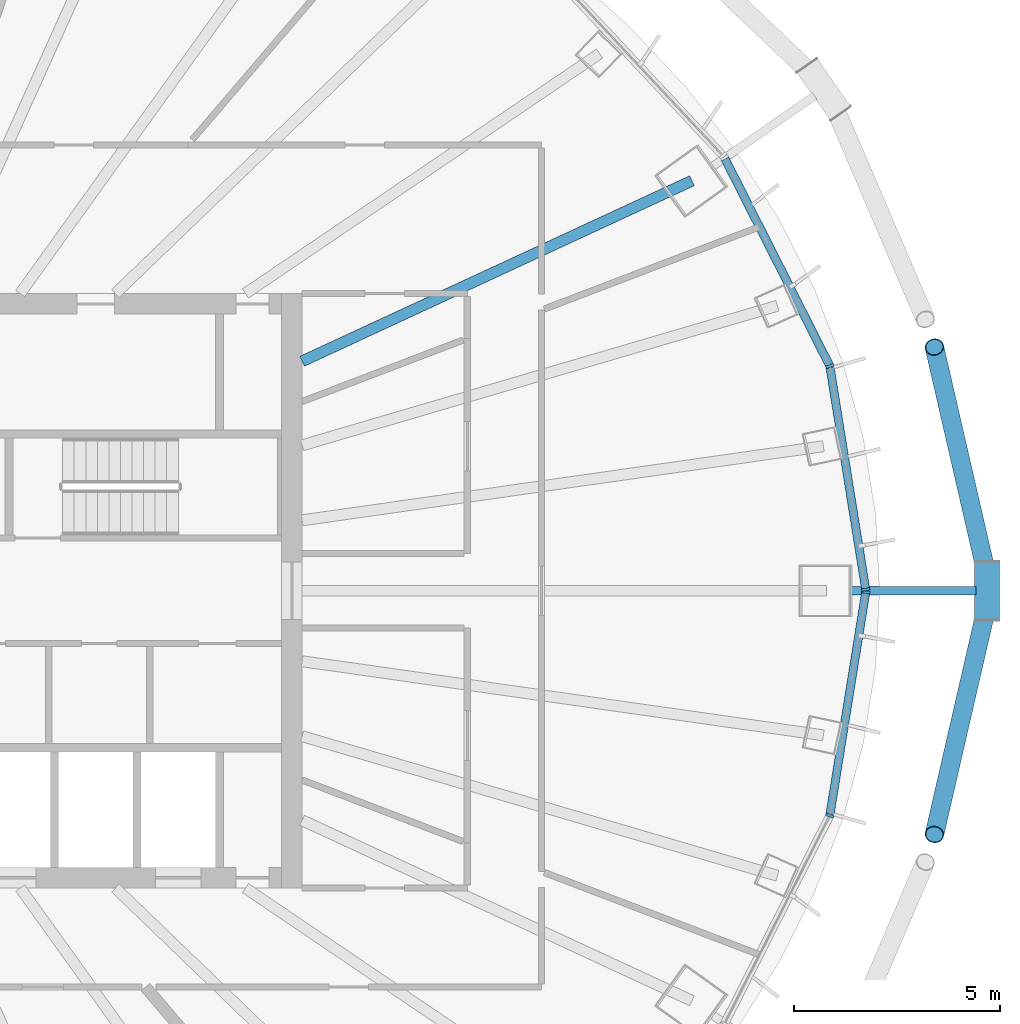
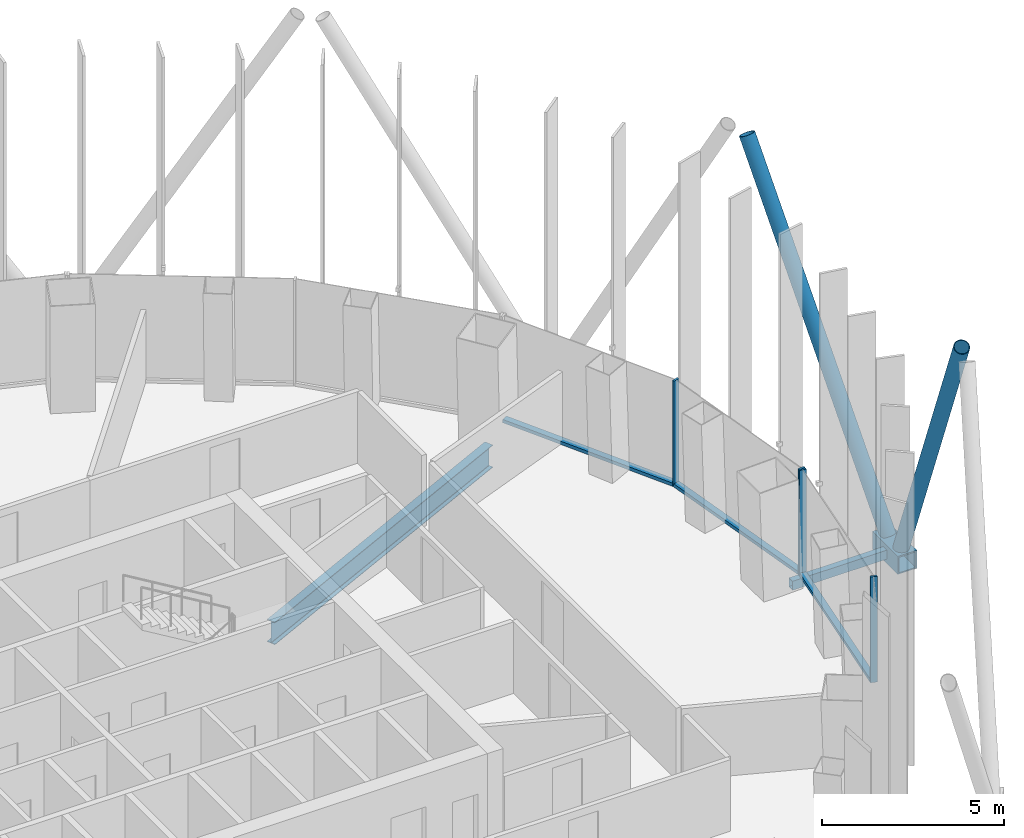
# One storey, part 5 of 20: 11 members, 1 beam, 2 elements without a shape of their own.
"""IFC4 building model written with IfcOpenShell, lengths in metres."""

import ifcopenshell
import ifcopenshell.guid

model = None  # the IFC model being written
_history = None  # IfcOwnerHistory: only IFC2X3 demands one
_inside = {}  # id of a spatial element -> (the spatial element, [elements in it])
_under = {}  # id of a project, library or spatial element -> (it, [spatial elements below it])
_declared = {}  # id of a project -> (the project, [libraries it declares])
_typed = {}  # id of a type object -> (the type object, [elements of that type])
_made_of = {}  # id of a material, layer set ... -> (it, [elements and type objects made of it])


def new_model(schema):
    """Start an empty IFC model of exactly this schema.

    Asked for "IFC4X3", IfcOpenShell would pick the latest addendum, in which some entities
    have other attributes; the version numbers below select the first issue.
    IFC2X3 requires an IfcOwnerHistory on every rooted entity: one is made here for all.
    """
    global model, _history
    if schema == "IFC4X3":
        model = ifcopenshell.file(schema_version=(4, 3, 0, 0))
    else:
        model = ifcopenshell.file(schema=schema)
    _inside.clear()
    _under.clear()
    _declared.clear()
    _typed.clear()
    _made_of.clear()
    _history = None
    if model.schema == "IFC2X3":
        org = make("IfcOrganization", Name="unknown")
        user = make(
            "IfcPersonAndOrganization",
            ThePerson=make("IfcPerson", FamilyName="unknown"),
            TheOrganization=org,
        )
        app = make(
            "IfcApplication",
            ApplicationDeveloper=org,
            Version="unknown",
            ApplicationFullName="unknown",
            ApplicationIdentifier="unknown",
        )
        _history = make(
            "IfcOwnerHistory",
            OwningUser=user,
            OwningApplication=app,
            ChangeAction="ADDED",
            CreationDate=0,
        )
    return model


def make(cls, **values):
    """One entity of the class cls with the attributes given. An attribute that is None is left unset."""
    return model.create_entity(
        cls, **{name: value for name, value in values.items() if value is not None}
    )


def rooted(cls, **values):
    """An entity with a GlobalId (a new one), such as an element, a storey or a relation."""
    return make(cls, GlobalId=ifcopenshell.guid.new(), OwnerHistory=_history, **values)


def si_unit(unit_type, name, prefix=None):
    """IfcSIUnit, for example si_unit("LENGTHUNIT", "METRE", prefix="MILLI")."""
    return make("IfcSIUnit", UnitType=unit_type, Prefix=prefix, Name=name)


def assignment(units):
    """IfcUnitAssignment: the units of a project."""
    return None if units is None else make("IfcUnitAssignment", Units=units)


def point(xyz):
    """IfcCartesianPoint."""
    return None if xyz is None else make("IfcCartesianPoint", Coordinates=xyz)


def direction(xyz):
    """IfcDirection."""
    return None if xyz is None else make("IfcDirection", DirectionRatios=xyz)


def frame(location, z_axis=None, x_axis=None):
    """IfcAxis2Placement3D, a coordinate frame: its origin and axes. An axis left out is left unset."""
    return make(
        "IfcAxis2Placement3D",
        Location=point(location),
        Axis=direction(z_axis),
        RefDirection=direction(x_axis),
    )


def frame_2d(location, x_axis=None):
    """IfcAxis2Placement2D, a coordinate frame in the plane: its origin and x axis."""
    return make(
        "IfcAxis2Placement2D", Location=point(location), RefDirection=direction(x_axis)
    )


def origin():
    """The frame at (0, 0, 0) with its axes left unset."""
    return frame((0.0, 0.0, 0.0))


def origin_2d():
    """The frame at (0, 0) in the plane with its x axis left unset."""
    return frame_2d((0.0, 0.0))


def place(relative_to, where):
    """IfcLocalPlacement: puts the frame where relative to a parent placement (None: the world)."""
    return make(
        "IfcLocalPlacement", PlacementRelTo=relative_to, RelativePlacement=where
    )


def context(
    kind, dimensions, precision=None, world=None, true_north=None, identifier=None
):
    """IfcGeometricRepresentationContext, for example the 3D "Model" context."""
    return make(
        "IfcGeometricRepresentationContext",
        ContextIdentifier=identifier,
        ContextType=kind,
        CoordinateSpaceDimension=dimensions,
        Precision=precision,
        WorldCoordinateSystem=world,
        TrueNorth=true_north,
    )


def subcontext(parent, identifier, kind, view, scale=None):
    """IfcGeometricRepresentationSubContext, for example "Body" below "Model"."""
    return make(
        "IfcGeometricRepresentationSubContext",
        ContextIdentifier=identifier,
        ContextType=kind,
        ParentContext=parent,
        TargetScale=scale,
        TargetView=view,
    )


def project(units=None, contexts=None):
    """IfcProject with its units and contexts."""
    return rooted(
        "IfcProject",
        Name="project",
        RepresentationContexts=contexts,
        UnitsInContext=assignment(units),
    )


def spatial(cls, under=None, at=None, **own):
    """A site, building, storey or space (cls), placed at a placement, below another one or the project."""
    s = rooted(cls, ObjectPlacement=at, **own)
    if under is not None:
        _under.setdefault(under.id(), (under, []))[1].append(s)
    return s


def profile(cls, at=None, kind="AREA", **sizes):
    """A parametric profile (cls). Its sizes go by their IFC names, for example OverallWidth=200.0."""
    return make(cls, ProfileType=kind, Position=at, **sizes)


def rectangle(**sizes):
    """IfcRectangleProfileDef."""
    return profile("IfcRectangleProfileDef", **sizes)


def hollow_rectangle(**sizes):
    """IfcRectangleHollowProfileDef."""
    return profile("IfcRectangleHollowProfileDef", **sizes)


def hollow_circle(**sizes):
    """IfcCircleHollowProfileDef."""
    return profile("IfcCircleHollowProfileDef", **sizes)


def i_section(**sizes):
    """IfcIShapeProfileDef."""
    return profile("IfcIShapeProfileDef", **sizes)


def extrude(swept, where, along, depth):
    """IfcExtrudedAreaSolid: the profile swept, set in the frame where, extruded along a direction by depth."""
    return make(
        "IfcExtrudedAreaSolid",
        SweptArea=swept,
        Position=where,
        ExtrudedDirection=direction(along),
        Depth=depth,
    )


def shape(context_of_items, identifier, shape_type, items):
    """IfcShapeRepresentation: the items that make up one representation, for example the "Body"."""
    return make(
        "IfcShapeRepresentation",
        ContextOfItems=context_of_items,
        RepresentationIdentifier=identifier,
        RepresentationType=shape_type,
        Items=items,
    )


def material(Name=None, Category=None):
    """IfcMaterial."""
    return make("IfcMaterial", Name=Name, Category=Category)


def layer(
    of_material, thickness, ventilated=None, Name=None, Category=None, Priority=None
):
    """IfcMaterialLayer: one layer of a wall or slab, of a material (None: an air gap)."""
    return make(
        "IfcMaterialLayer",
        Material=of_material,
        LayerThickness=thickness,
        IsVentilated=ventilated,
        Name=Name,
        Category=Category,
        Priority=Priority,
    )


def layer_set(layers, Name=None):
    """IfcMaterialLayerSet."""
    return make("IfcMaterialLayerSet", MaterialLayers=layers, LayerSetName=Name)


def material_profile(
    of_material, cross_section, Name=None, Category=None, Priority=None
):
    """IfcMaterialProfile: a cross section and its material."""
    return make(
        "IfcMaterialProfile",
        Name=Name,
        Material=of_material,
        Profile=cross_section,
        Priority=Priority,
        Category=Category,
    )


def profile_set(profiles, Name=None, composite=None):
    """IfcMaterialProfileSet."""
    return make(
        "IfcMaterialProfileSet",
        Name=Name,
        MaterialProfiles=profiles,
        CompositeProfile=composite,
    )


def made_of(thing, what):
    """Note that an element or type object is made of a material, layer set ...; save() writes the relation."""
    if what is not None:
        _made_of.setdefault(what.id(), (what, []))[1].append(thing)
    return thing


def type_object(cls, material=None, **own):
    """A type object (cls), such as IfcWallType, which elements share."""
    return made_of(rooted(cls, **own), material)


def element(
    cls,
    number,
    at=None,
    inside=None,
    cuts=None,
    type_object=None,
    material=None,
    context=None,
    identifier="Body",
    shape_type=None,
    held_by="IfcProductDefinitionShape",
    body=None,
    shapes=None,
    **own,
):
    """One element of the class cls, such as IfcWall. Its Tag is "e" and its number.

    at: its placement. inside: the storey or other place that contains it. cuts: it is an
    opening in that element (IfcRelVoidsElement). A single representation is given by context,
    identifier, shape_type and body (its items); several are given by shapes. held_by: the class
    of the entity that holds the representations. save() writes the other relations.
    """
    e = rooted(cls, Tag="e%d" % number, ObjectPlacement=at, **own)
    if body is not None:
        shapes = [shape(context, identifier, shape_type, body)]
    if shapes is not None:
        e.Representation = make(held_by, Representations=shapes)
    if inside is not None:
        _inside.setdefault(inside.id(), (inside, []))[1].append(e)
    if cuts is not None:
        rooted(
            "IfcRelVoidsElement", RelatingBuildingElement=cuts, RelatedOpeningElement=e
        )
    if type_object is not None:
        _typed.setdefault(type_object.id(), (type_object, []))[1].append(e)
    return made_of(e, material)


def aggregate(whole, parts):
    """IfcRelAggregates: a whole, such as a stair, and the parts it consists of."""
    return rooted("IfcRelAggregates", RelatingObject=whole, RelatedObjects=parts)


def save(model, path):
    """Write the relations noted so far, then the file.

    IfcRelAggregates (storeys below a building ...), IfcRelContainedInSpatialStructure (elements
    in a storey), IfcRelDefinesByType, IfcRelAssociatesMaterial and IfcRelDeclares: one each for
    every whole, place, type object, material and project.
    """
    for whole, parts in _under.values():
        aggregate(whole, parts)
    for where, things in _inside.values():
        rooted(
            "IfcRelContainedInSpatialStructure",
            RelatedElements=things,
            RelatingStructure=where,
        )
    for kind, things in _typed.values():
        rooted("IfcRelDefinesByType", RelatedObjects=things, RelatingType=kind)
    for what, things in _made_of.values():
        rooted("IfcRelAssociatesMaterial", RelatedObjects=things, RelatingMaterial=what)
    for by, libraries in _declared.values():
        rooted("IfcRelDeclares", RelatingContext=by, RelatedDefinitions=libraries)
    model.write(path)


model = new_model("IFC4")

# Units and contexts
model_context = context("Model", 3, precision=1e-05, world=origin(), true_north=direction((0.0, 1.0)))
body_context = subcontext(model_context, "Body", "Model", "MODEL_VIEW")
ifc_project = project(units=[si_unit("LENGTHUNIT", "METRE"), si_unit("AREAUNIT", "SQUARE_METRE"), si_unit("VOLUMEUNIT", "CUBIC_METRE"), si_unit("PLANEANGLEUNIT", "RADIAN"), si_unit("MASSUNIT", "GRAM", prefix="KILO")], contexts=[model_context])

# Site, building, storey
site_placement = place(None, origin())
site = spatial("IfcSite", under=ifc_project, at=site_placement, CompositionType="ELEMENT")
building_placement = place(site_placement, origin())
building = spatial("IfcBuilding", under=site, at=building_placement, Name="Siaravel Broadcast Tower", CompositionType="ELEMENT")
storey_placement = place(building_placement, frame((0.0, 0.0, 108.199951171875)))
storey = spatial("IfcBuildingStorey", under=building, at=storey_placement, Name="L25", CompositionType="ELEMENT", Elevation=108.199951171875)

# Beam
ifc_material_1 = material(Name="Steel S355", Category="steel")
ifc_material_profile_1 = material_profile(ifc_material_1, i_section(OverallWidth=0.26513671875, OverallDepth=0.75390625, WebThickness=0.0126953125, FlangeThickness=0.017578125, FilletRadius=0.0166015625, at=origin_2d()))
ifc_profile_set_1 = profile_set([ifc_material_profile_1], Name="Steel S355")
beam_type = type_object("IfcBeamType", Name="BM-UB 762x267x147", PredefinedType="BEAM", material=ifc_profile_set_1)
beam_placement = place(storey_placement, frame((21.442138671875, 9.931884765625, -0.52685546875), z_axis=(-0.907387216, -0.420295658, 0.0), x_axis=(0.420295658, -0.907387216, 0.0)))
element("IfcBeam", 1, at=beam_placement, inside=storey, type_object=beam_type, Name="Radial beam RB04", PredefinedType="BEAM", context=body_context, shape_type="SweptSolid", body=[
    extrude(i_section(OverallWidth=0.26513671875, OverallDepth=0.75390625, WebThickness=0.0126953125, FlangeThickness=0.017578125, FilletRadius=0.0166015625, at=origin_2d()), origin(), (0.0, 0.0, 1.0), 10.40576171875),
])

# Curtain wall, members
ifc_material_2 = material(Name="Aluminium 6063-T6", Category="aluminium")
ifc_layer = layer(ifc_material_2, 0.199951171875)
ifc_layer_set = layer_set([ifc_layer], Name="Aluminium 6063-T6")
curtain_wall_type = type_object("IfcCurtainWallType", Name="Unitised curtain wall, zone 2", PredefinedType="NOTDEFINED", material=ifc_layer_set)
curtain_wall_1_placement = place(storey_placement, origin())
curtain_wall_1 = element("IfcCurtainWall", 2, at=curtain_wall_1_placement, inside=storey, type_object=curtain_wall_type, Name="L25 Unitised curtain wall, zone 2 01", PredefinedType="NOTDEFINED")
ifc_material_profile_2 = material_profile(ifc_material_2, rectangle(XDim=0.199951171875, YDim=0.06494140625, at=origin_2d()))
ifc_profile_set_2 = profile_set([ifc_material_profile_2], Name="Aluminium 6063-T6")
member_type_1 = type_object("IfcMemberType", Name="CW-Z2 mullion", PredefinedType="MULLION", material=ifc_profile_set_2)
member_1_placement = place(storey_placement, frame((25.650146484375, 0.031982421875, 0.0), z_axis=(0.0, 0.0, 1.0), x_axis=(-0.987329151, -0.158685687, 0.0)))
member_1 = element("IfcMember", 3, at=member_1_placement, type_object=member_type_1, Name="CW-Z2 mullion 1", PredefinedType="MULLION", context=body_context, shape_type="SweptSolid", body=[
    extrude(rectangle(XDim=0.199951171875, YDim=0.06494140625, at=origin_2d()), origin(), (0.0, 0.0, 1.0), 3.550048828125),
])
member_2_placement = place(storey_placement, frame((24.7802734375, 5.44384765625, 0.0), z_axis=(0.0, 0.0, 1.0), x_axis=(-0.951177123, -0.308645559, 0.0)))
member_2 = element("IfcMember", 4, at=member_2_placement, type_object=member_type_1, Name="CW-Z2 mullion 2", PredefinedType="MULLION", context=body_context, shape_type="SweptSolid", body=[
    extrude(rectangle(XDim=0.199951171875, YDim=0.06494140625, at=origin_2d()), origin(), (0.0, 0.0, 1.0), 3.550048828125),
])

curtain_wall_2_placement = place(storey_placement, origin())
curtain_wall_2 = element("IfcCurtainWall", 5, at=curtain_wall_2_placement, inside=storey, type_object=curtain_wall_type, Name="L25 Unitised curtain wall, zone 2 12", PredefinedType="NOTDEFINED")
member_3_placement = place(storey_placement, frame((24.7802734375, -5.44384765625, 0.0), z_axis=(0.0, 0.0, 1.0), x_axis=(-0.951177123, 0.308645559, 0.0)))
member_3 = element("IfcMember", 6, at=member_3_placement, type_object=member_type_1, Name="CW-Z2 mullion 2", PredefinedType="MULLION", context=body_context, shape_type="SweptSolid", body=[
    extrude(rectangle(XDim=0.199951171875, YDim=0.06494140625, at=origin_2d()), origin(), (0.0, 0.0, 1.0), 3.550048828125),
])
member_4_placement = place(storey_placement, frame((25.650146484375, -0.031982421875, 0.0), z_axis=(0.0, 0.0, 1.0), x_axis=(-0.987329151, 0.158685687, 0.0)))
member_4 = element("IfcMember", 7, at=member_4_placement, type_object=member_type_1, Name="CW-Z2 mullion 3", PredefinedType="MULLION", context=body_context, shape_type="SweptSolid", body=[
    extrude(rectangle(XDim=0.199951171875, YDim=0.06494140625, at=origin_2d()), origin(), (0.0, 0.0, 1.0), 3.550048828125),
])

# Member
ifc_material_profile_3 = material_profile(ifc_material_2, rectangle(XDim=0.199951171875, YDim=0.110107421875, at=origin_2d()))
ifc_profile_set_3 = profile_set([ifc_material_profile_3], Name="Aluminium 6063-T6")
member_type_2 = type_object("IfcMemberType", Name="CW-Z2 transom", PredefinedType="USERDEFINED", material=ifc_profile_set_3)
member_5_placement = place(storey_placement, frame((25.64501953125, 0.064208984375, 0.054931640625), z_axis=(-0.158709481, 0.987325327, 0.0), x_axis=(-0.987325327, -0.158709481, 0.0)))
member_5 = element("IfcMember", 8, at=member_5_placement, type_object=member_type_2, Name="CW-Z2 transom 1", ObjectType="TRANSOM", PredefinedType="USERDEFINED", context=body_context, shape_type="SweptSolid", body=[
    extrude(rectangle(XDim=0.199951171875, YDim=0.110107421875, at=origin_2d()), origin(), (0.0, 0.0, 1.0), 5.416259765625),
])

member_6_placement = place(storey_placement, frame((24.765625, 5.472900390625, 0.054931640625), z_axis=(-0.451247712, 0.892398735, 0.0), x_axis=(-0.892398735, -0.451247712, 0.0)))
member_6 = element("IfcMember", 9, at=member_6_placement, type_object=member_type_2, Name="CW-Z2 transom 2", ObjectType="TRANSOM", PredefinedType="USERDEFINED", context=body_context, shape_type="SweptSolid", body=[
    extrude(rectangle(XDim=0.199951171875, YDim=0.110107421875, at=origin_2d()), origin(), (0.0, 0.0, 1.0), 5.585693359375),
])

aggregate(curtain_wall_1, [member_1, member_2, member_5, member_6])

member_7_placement = place(storey_placement, frame((24.785400390625, -5.411865234375, 0.054931640625), z_axis=(0.158709481, 0.987325327, 0.0), x_axis=(-0.987325327, 0.158709481, 0.0)))
member_7 = element("IfcMember", 10, at=member_7_placement, type_object=member_type_2, Name="CW-Z2 transom 2", ObjectType="TRANSOM", PredefinedType="USERDEFINED", context=body_context, shape_type="SweptSolid", body=[
    extrude(rectangle(XDim=0.199951171875, YDim=0.110107421875, at=origin_2d()), origin(), (0.0, 0.0, 1.0), 5.416259765625),
])

aggregate(curtain_wall_2, [member_3, member_4, member_7])

# Members
ifc_material_3 = material(Name="Steel S460", Category="steel")
ifc_material_profile_4 = material_profile(ifc_material_3, hollow_circle(Radius=0.228515625, WallThickness=0.02001953125, at=origin_2d()))
ifc_profile_set_4 = profile_set([ifc_material_profile_4], Name="Steel S460")
member_type_3 = type_object("IfcMemberType", Name="Diagrid diagonal CHS 457x20", PredefinedType="BRACE", material=ifc_profile_set_4)
for number, where, z_axis, x_axis, name in (
    (11, (28.589599609375, -0.351318359375, 0.070068359375), (-0.106377506, -0.462685176, 0.880117182), (0.974573627, -0.224067502, 0.0), "Diagrid diagonal R11 station 00C"),
    (12, (28.589599609375, 0.351318359375, 0.070068359375), (-0.106377506, 0.462685176, 0.880117182), (-0.974573627, -0.224067502, 0.0), "Diagrid diagonal R11 station 00A"),
):
    element("IfcMember", number, at=place(storey_placement, frame(where, z_axis=z_axis, x_axis=x_axis)), inside=storey, type_object=member_type_3, Name=name, PredefinedType="BRACE", context=body_context, shape_type="SweptSolid", body=[
        extrude(hollow_circle(Radius=0.228515625, WallThickness=0.02001953125, at=origin_2d()), origin(), (0.0, 0.0, 1.0), 11.99853515625),
    ])
ifc_material_profile_5 = material_profile(ifc_material_3, hollow_rectangle(XDim=0.60009765625, YDim=0.60009765625, WallThickness=0.0400390625, at=origin_2d()))
ifc_profile_set_5 = profile_set([ifc_material_profile_5], Name="Steel S460")
member_type_4 = type_object("IfcMemberType", Name="Diagrid node BOX 600x600x40", PredefinedType="USERDEFINED", material=ifc_profile_set_5)
member_8_placement = place(storey_placement, frame((28.589599609375, -0.699951171875, -0.199951171875), z_axis=(0.0, 1.0, 0.0), x_axis=(-1.0, 0.0, 0.0)))
element("IfcMember", 13, at=member_8_placement, inside=storey, type_object=member_type_4, Name="Diagrid node R11 station 00", ObjectType="DIAGRID NODE", PredefinedType="USERDEFINED", context=body_context, shape_type="SweptSolid", body=[
    extrude(hollow_rectangle(XDim=0.60009765625, YDim=0.60009765625, WallThickness=0.0400390625, at=origin_2d()), origin(), (0.0, 0.0, 1.0), 1.39990234375),
])
ifc_material_profile_6 = material_profile(ifc_material_3, hollow_rectangle(XDim=0.199951171875, YDim=0.300048828125, WallThickness=0.012451171875, at=origin_2d()))
ifc_profile_set_6 = profile_set([ifc_material_profile_6], Name="Steel S460")
member_type_5 = type_object("IfcMemberType", Name="Diagrid node arm RHS 300x200x12.5", PredefinedType="STRUT", material=ifc_profile_set_6)
member_9_placement = place(storey_placement, frame((25.29248046875, 0.0, -0.199951171875), z_axis=(1.0, 0.0, 0.0), x_axis=(0.0, 1.0, 0.0)))
element("IfcMember", 14, at=member_9_placement, inside=storey, type_object=member_type_5, Name="Node arm R11 station 00", PredefinedType="STRUT", context=body_context, shape_type="SweptSolid", body=[
    extrude(hollow_rectangle(XDim=0.199951171875, YDim=0.300048828125, WallThickness=0.012451171875, at=origin_2d()), origin(), (0.0, 0.0, 1.0), 3.027099609375),
])

save(model, "model.ifc")
